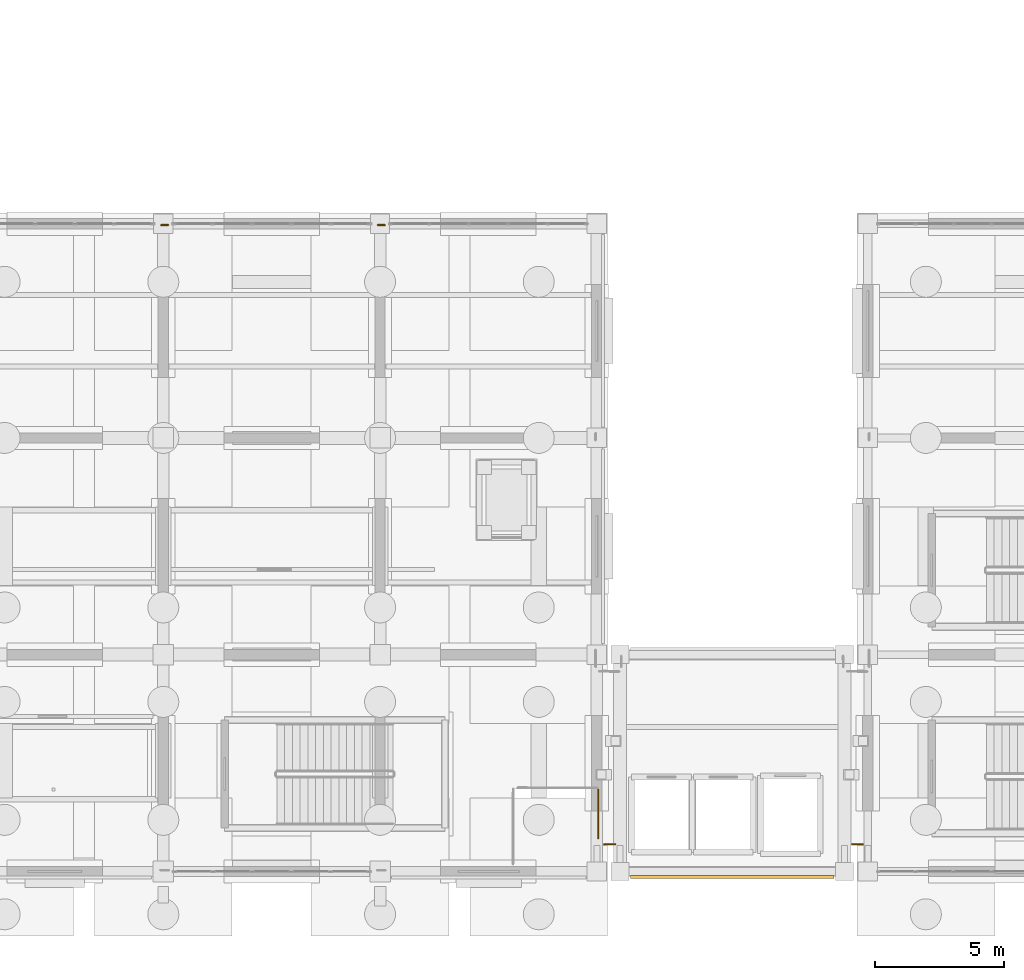
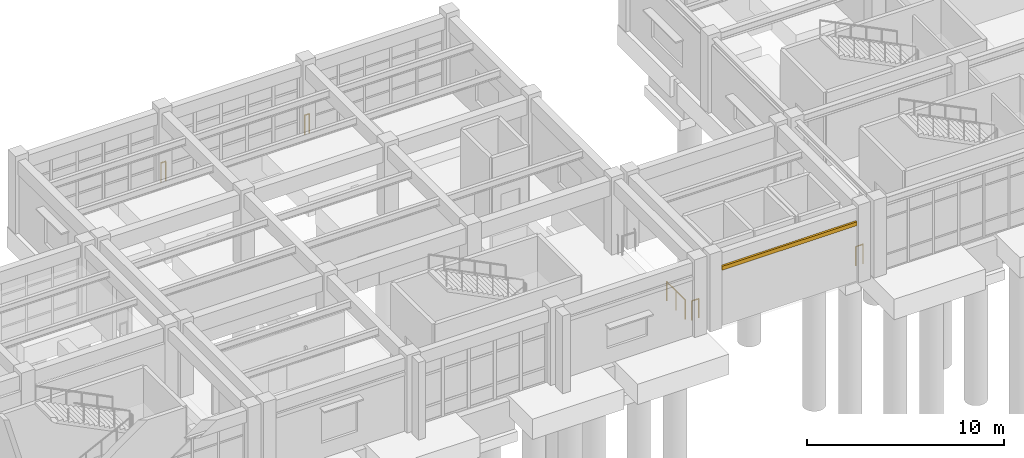
# One storey, part 103 of 111: 5 railings, 1 covering.
"""IFC4 building model written with IfcOpenShell, lengths in metres."""

from ifc_helpers import new_model, si_unit, direction, frame, origin, origin_2d, place, context, subcontext, project, spatial, rectangle, circle, extrude, material, layer, layer_set, type_object, element, save


model = new_model("IFC4")

# Units and contexts
model_context = context("Model", 3, precision=1e-05, world=origin(), true_north=direction((0.0, 1.0)))
body_context = subcontext(model_context, "Body", "Model", "MODEL_VIEW")
ifc_project = project(units=[si_unit("LENGTHUNIT", "METRE"), si_unit("AREAUNIT", "SQUARE_METRE"), si_unit("VOLUMEUNIT", "CUBIC_METRE"), si_unit("PLANEANGLEUNIT", "RADIAN"), si_unit("MASSUNIT", "GRAM", prefix="KILO")], contexts=[model_context])

# Site, building, storey
site_placement = place(None, origin())
site = spatial("IfcSite", under=ifc_project, at=site_placement, CompositionType="ELEMENT")
building_placement = place(site_placement, origin())
building = spatial("IfcBuilding", under=site, at=building_placement, Name="Canglan Escarpment Cableway Terminal", CompositionType="ELEMENT")
storey_placement = place(building_placement, frame((0.0, 0.0, 4.800048828125)))
storey = spatial("IfcBuildingStorey", under=building, at=storey_placement, Name="L01", CompositionType="ELEMENT", Elevation=4.800048828125)

# Covering
ifc_material_1 = material(Name="Carved classical limestone cornice", Category="masonry")
ifc_layer = layer(ifc_material_1, 0.1201171875, Name="Carved classical limestone cornice")
ifc_layer_set = layer_set([ifc_layer], Name="Carved classical limestone cornice")
covering_type = type_object("IfcCoveringType", Name="COV-CORNICE-STONE", PredefinedType="CLADDING", material=ifc_layer_set)
covering_placement = place(storey_placement, frame((141.949951171875, 7.780029296875, 3.52490234375), z_axis=(0.0, 0.0, 1.0), x_axis=(1.0, 0.0, 0.0)))
element("IfcCovering", 1, at=covering_placement, inside=storey, type_object=covering_type, Name="Classical carved limestone cornice CL-01", PredefinedType="CLADDING", context=body_context, shape_type="SweptSolid", body=[
    extrude(rectangle(XDim=7.89990234375, YDim=0.1201171875, at=origin_2d()), origin(), (0.0, 0.0, 1.0), 0.239990234375),
])

# Railings
ifc_material_2 = material(Name="Carved limestone and anodized bronze balustrade", Category="masonry")
railing_type = type_object("IfcRailingType", Name="RL-EXT-BALUSTRADE-1200", PredefinedType="BALUSTRADE", material=ifc_material_2)
for number, where, name in (
    (2, (119.81494140625, 33.050048828125, 0.0), "Classical terrace balustrade guard GD-01 (L01)"),
    (3, (128.215087890625, 33.050048828125, 0.0), "Classical terrace balustrade guard GD-01 (L01)"),
):
    element("IfcRailing", number, at=place(storey_placement, frame(where)), inside=storey, type_object=railing_type, Name=name, PredefinedType="BALUSTRADE", context=body_context, shape_type="SweptSolid", body=[
        extrude(circle(Radius=0.02392578125, at=origin_2d()), frame((0.0, 0.0, 1.17578125), z_axis=(1.0, 0.0, 0.0), x_axis=(0.0, 1.0, 0.0)), (0.0, 0.0, 1.0), 0.27001953125),
        extrude(circle(Radius=0.02099609375, at=origin_2d()), origin(), (0.0, 0.0, 1.0), 1.15185546875),
        extrude(circle(Radius=0.02099609375, at=origin_2d()), frame((0.27001953125, 0.0, 0.0)), (0.0, 0.0, 1.0), 1.15185546875),
    ])
for number, where, name in (
    (4, (147.010009765625, 9.050048828125, 0.0), "Classical terrace balustrade guard GD-01 (L01)"),
    (5, (137.409912109375, 9.050048828125, 0.0), "Classical terrace balustrade guard GD-01 (L01)"),
):
    element("IfcRailing", number, at=place(storey_placement, frame(where)), inside=storey, type_object=railing_type, Name=name, PredefinedType="BALUSTRADE", context=body_context, shape_type="SweptSolid", body=[
        extrude(circle(Radius=0.02392578125, at=origin_2d()), frame((0.0, 0.0, 1.17578125), z_axis=(-1.0, 0.0, 0.0), x_axis=(0.0, -1.0, 0.0)), (0.0, 0.0, 1.0), 0.419921875),
        extrude(circle(Radius=0.02099609375, at=origin_2d()), origin(), (0.0, 0.0, 1.0), 1.15185546875),
        extrude(circle(Radius=0.02099609375, at=origin_2d()), frame((-0.419921875, 0.0, 0.0)), (0.0, 0.0, 1.0), 1.15185546875),
    ])
railing_placement = place(storey_placement, frame((136.7548828125, 9.289794921875, 0.0)))
element("IfcRailing", 6, at=railing_placement, inside=storey, type_object=railing_type, Name="Classical terrace balustrade guard GD-01 (L01)", PredefinedType="BALUSTRADE", context=body_context, shape_type="SweptSolid", body=[
    extrude(circle(Radius=0.02392578125, at=origin_2d()), frame((0.0, 0.0, 1.17578125), z_axis=(0.0, 1.0, 0.0), x_axis=(-1.0, 0.0, 0.0)), (0.0, 0.0, 1.0), 1.880126953125),
    extrude(circle(Radius=0.02099609375, at=origin_2d()), origin(), (0.0, 0.0, 1.0), 1.15185546875),
    extrude(circle(Radius=0.02099609375, at=origin_2d()), frame((0.0, 0.93994140625, 0.0)), (0.0, 0.0, 1.0), 1.15185546875),
    extrude(circle(Radius=0.02099609375, at=origin_2d()), frame((0.0, 1.880126953125, 0.0)), (0.0, 0.0, 1.0), 1.15185546875),
])

save(model, "model.ifc")
